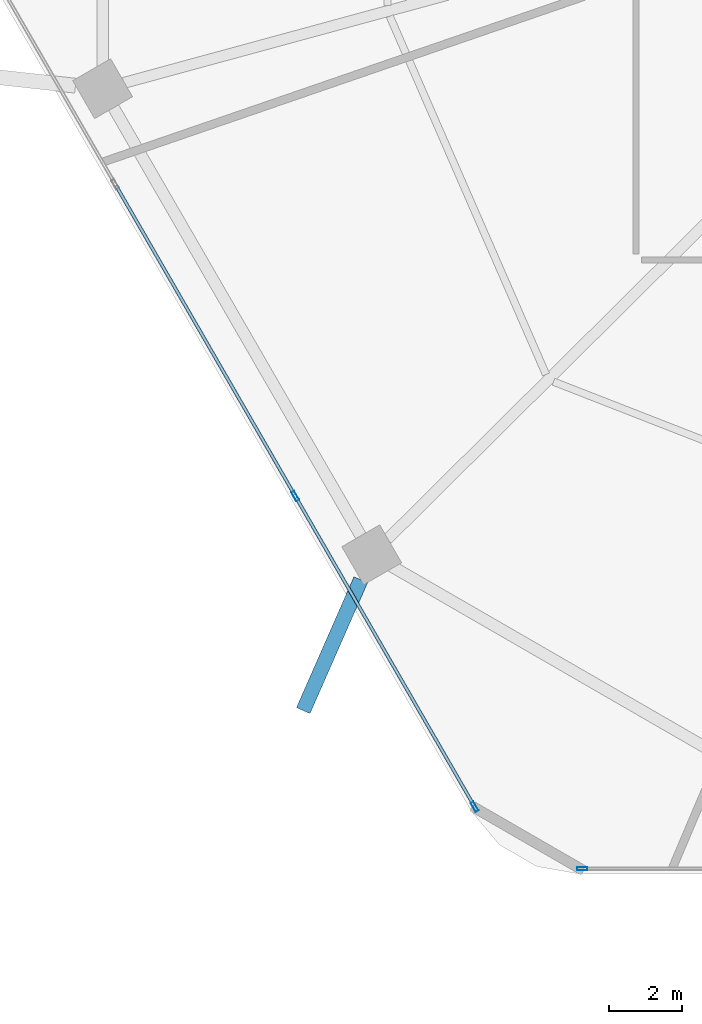
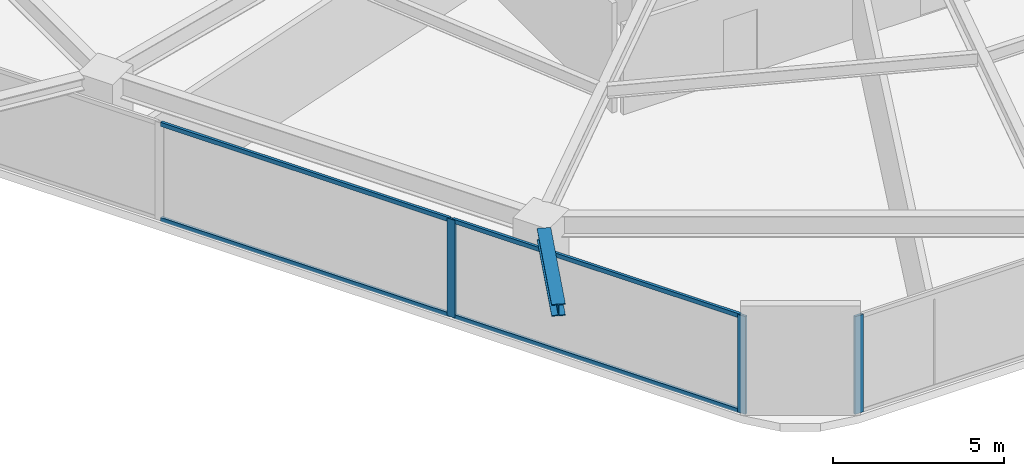
# One storey, part 2 of 25: 7 members, 1 beam, 2 elements without a shape of their own.
"""IFC4 building model written with IfcOpenShell, lengths in metres."""

from ifc_helpers import new_model, si_unit, direction, frame, origin, origin_2d, place, context, subcontext, project, spatial, hollow_rectangle, i_section, extrude, material, material_profile, profile_set, type_object, element, aggregate, save


model = new_model("IFC4")

# Units and contexts
model_context = context("Model", 3, precision=1e-05, world=origin(), true_north=direction((0.0, 1.0)))
body_context = subcontext(model_context, "Body", "Model", "MODEL_VIEW")
ifc_project = project(units=[si_unit("LENGTHUNIT", "METRE"), si_unit("AREAUNIT", "SQUARE_METRE"), si_unit("VOLUMEUNIT", "CUBIC_METRE"), si_unit("PLANEANGLEUNIT", "RADIAN"), si_unit("MASSUNIT", "GRAM", prefix="KILO")], contexts=[model_context])

# Site, building, storey
site_placement = place(None, origin())
site = spatial("IfcSite", under=ifc_project, at=site_placement, CompositionType="ELEMENT")
building_placement = place(site_placement, origin())
building = spatial("IfcBuilding", under=site, at=building_placement, Name="Zuhravey Tower", CompositionType="ELEMENT")
storey_placement = place(building_placement, frame((0.0, 0.0, 54.0)))
storey = spatial("IfcBuildingStorey", under=building, at=storey_placement, Name="L13", CompositionType="ELEMENT", Elevation=54.0)

# Curtain wall, member
ifc_material_1 = material(Name="Thermally broken anodised aluminium", Category="aluminium")
curtain_wall_type = type_object("IfcCurtainWallType", Name="School Low-E Unitised Curtain Wall CW1", PredefinedType="NOTDEFINED", material=ifc_material_1)
curtain_wall_1_placement = place(storey_placement, origin())
curtain_wall_1 = element("IfcCurtainWall", 1, at=curtain_wall_1_placement, inside=storey, type_object=curtain_wall_type, Name="L13 CW1 CW-L13-F5-1", PredefinedType="NOTDEFINED")
ifc_material_2 = material(Name="Anodised aluminium", Category="aluminium")
ifc_material_profile_1 = material_profile(ifc_material_2, hollow_rectangle(XDim=0.090087890625, YDim=0.284912109375, WallThickness=0.0048828125, at=origin_2d()), Name="ALU-RHS-90x285x5")
ifc_profile_set_1 = profile_set([ifc_material_profile_1], Name="Anodised aluminium")
member_type_1 = type_object("IfcMemberType", Name="Curtain-Wall Mullion 90x180", PredefinedType="MULLION", material=ifc_profile_set_1)
member_1_placement = place(storey_placement, frame((21.24560546875, 3.04150390625, 0.0), z_axis=(0.0, 0.0, 1.0), x_axis=(0.0, -1.0, 0.0)))
member_1 = element("IfcMember", 2, at=member_1_placement, type_object=member_type_1, Name="CW1 mullion 4", PredefinedType="MULLION", context=body_context, shape_type="SweptSolid", body=[
    extrude(hollow_rectangle(XDim=0.090087890625, YDim=0.284912109375, WallThickness=0.0048828125, at=origin_2d()), origin(), (0.0, 0.0, 1.0), 3.491943359375),
])
aggregate(curtain_wall_1, [member_1])

# Curtain wall, members
curtain_wall_2_placement = place(storey_placement, origin())
curtain_wall_2 = element("IfcCurtainWall", 3, at=curtain_wall_2_placement, inside=storey, type_object=curtain_wall_type, Name="L13 CW1 CW-L13-F4-1", PredefinedType="NOTDEFINED")
member_2_placement = place(storey_placement, frame((18.298583984375, 4.742919921875, 0.0), z_axis=(0.0, 0.0, 1.0), x_axis=(-0.86602552265, -0.499999794119, 0.0)))
member_2 = element("IfcMember", 4, at=member_2_placement, type_object=member_type_1, Name="CW1 mullion 1", PredefinedType="MULLION", context=body_context, shape_type="SweptSolid", body=[
    extrude(hollow_rectangle(XDim=0.090087890625, YDim=0.284912109375, WallThickness=0.0048828125, at=origin_2d()), origin(), (0.0, 0.0, 1.0), 3.491943359375),
])
member_3_placement = place(storey_placement, frame((13.387939453125, 13.24853515625, 0.0), z_axis=(0.0, 0.0, 1.0), x_axis=(-0.86602552265, -0.499999794119, 0.0)))
member_3 = element("IfcMember", 5, at=member_3_placement, type_object=member_type_1, Name="CW1 mullion 2", PredefinedType="MULLION", context=body_context, shape_type="SweptSolid", body=[
    extrude(hollow_rectangle(XDim=0.090087890625, YDim=0.284912109375, WallThickness=0.0048828125, at=origin_2d()), origin(), (0.0, 0.0, 1.0), 3.491943359375),
])
ifc_material_profile_2 = material_profile(ifc_material_2, hollow_rectangle(XDim=0.090087890625, YDim=0.14990234375, WallThickness=0.0048828125, at=origin_2d()), Name="ALU-RHS-90x150x5")
ifc_profile_set_2 = profile_set([ifc_material_profile_2], Name="Anodised aluminium")
member_type_2 = type_object("IfcMemberType", Name="Curtain-Wall Transom 90x150", PredefinedType="USERDEFINED", material=ifc_profile_set_2)
member_4_placement = place(storey_placement, frame((18.27587890625, 4.781982421875, 0.044921875), z_axis=(-0.499989576763, 0.86603142156, 0.0), x_axis=(-0.86603142156, -0.499989576763, 0.0)))
member_4 = element("IfcMember", 6, at=member_4_placement, type_object=member_type_2, Name="CW1 transom 1.1", ObjectType="TRANSOM", PredefinedType="USERDEFINED", context=body_context, shape_type="SweptSolid", body=[
    extrude(hollow_rectangle(XDim=0.090087890625, YDim=0.14990234375, WallThickness=0.0048828125, at=origin_2d()), origin(), (0.0, 0.0, 1.0), 9.731201171875),
])
member_5_placement = place(storey_placement, frame((18.27587890625, 4.781982421875, 3.447021484375), z_axis=(-0.499989576763, 0.86603142156, 0.0), x_axis=(-0.86603142156, -0.499989576763, 0.0)))
member_5 = element("IfcMember", 7, at=member_5_placement, type_object=member_type_2, Name="CW1 transom 1.2", ObjectType="TRANSOM", PredefinedType="USERDEFINED", context=body_context, shape_type="SweptSolid", body=[
    extrude(hollow_rectangle(XDim=0.090087890625, YDim=0.14990234375, WallThickness=0.0048828125, at=origin_2d()), origin(), (0.0, 0.0, 1.0), 9.731201171875),
])
member_6_placement = place(storey_placement, frame((13.365234375, 13.287353515625, 0.044921875), z_axis=(-0.499990498062, 0.866030889661, 0.0), x_axis=(-0.866030889661, -0.499990498062, 0.0)))
member_6 = element("IfcMember", 8, at=member_6_placement, type_object=member_type_2, Name="CW1 transom 2.1", ObjectType="TRANSOM", PredefinedType="USERDEFINED", context=body_context, shape_type="SweptSolid", body=[
    extrude(hollow_rectangle(XDim=0.090087890625, YDim=0.14990234375, WallThickness=0.0048828125, at=origin_2d()), origin(), (0.0, 0.0, 1.0), 9.776611328125),
])
member_7_placement = place(storey_placement, frame((13.365234375, 13.287353515625, 3.447021484375), z_axis=(-0.499990498062, 0.866030889661, 0.0), x_axis=(-0.866030889661, -0.499990498062, 0.0)))
member_7 = element("IfcMember", 9, at=member_7_placement, type_object=member_type_2, Name="CW1 transom 2.2", ObjectType="TRANSOM", PredefinedType="USERDEFINED", context=body_context, shape_type="SweptSolid", body=[
    extrude(hollow_rectangle(XDim=0.090087890625, YDim=0.14990234375, WallThickness=0.0048828125, at=origin_2d()), origin(), (0.0, 0.0, 1.0), 9.776611328125),
])
aggregate(curtain_wall_2, [member_2, member_3, member_4, member_5, member_6, member_7])

# Beam
ifc_material_3 = material(Name="Steel SM460", Category="steel")
ifc_material_profile_3 = material_profile(ifc_material_3, i_section(OverallWidth=0.406982421875, OverallDepth=0.427978515625, WebThickness=0.02001953125, FlangeThickness=0.034912109375, at=origin_2d()), Name="H-428x407x20x35")
ifc_profile_set_3 = profile_set([ifc_material_profile_3], Name="Steel SM460")
beam_type = type_object("IfcBeamType", Name="Exoskeleton Node Tie Beam H428x407", PredefinedType="BEAM", material=ifc_profile_set_3)
beam_placement = place(storey_placement, frame((15.179931640625, 10.9580078125, 3.7060546875), z_axis=(-0.402366403128, -0.915478715009, 0.0), x_axis=(0.915478715009, -0.402366403128, 0.0)))
element("IfcBeam", 10, at=beam_placement, inside=storey, type_object=beam_type, Name="L13 Exoskeleton Node Tie NT1-08", PredefinedType="BEAM", context=body_context, shape_type="SweptSolid", body=[
    extrude(i_section(OverallWidth=0.406982421875, OverallDepth=0.427978515625, WebThickness=0.02001953125, FlangeThickness=0.034912109375, at=origin_2d()), origin(), (0.0, 0.0, 1.0), 3.9130859375),
])

save(model, "model.ifc")
